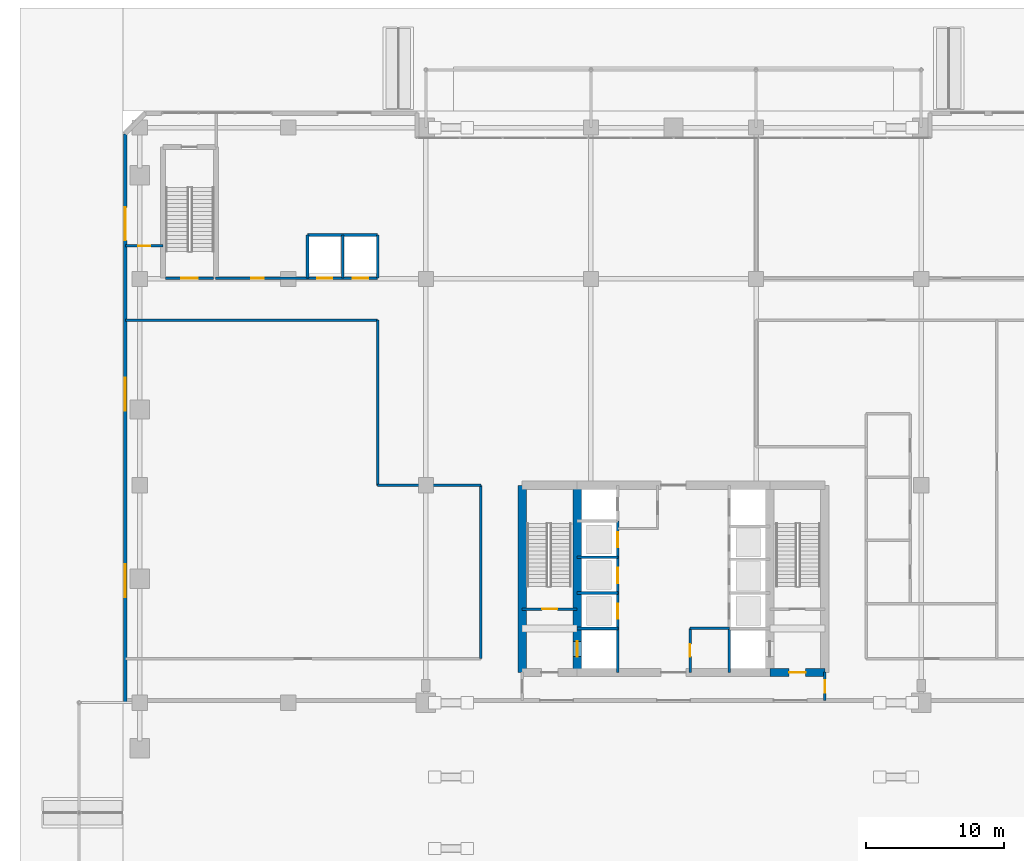
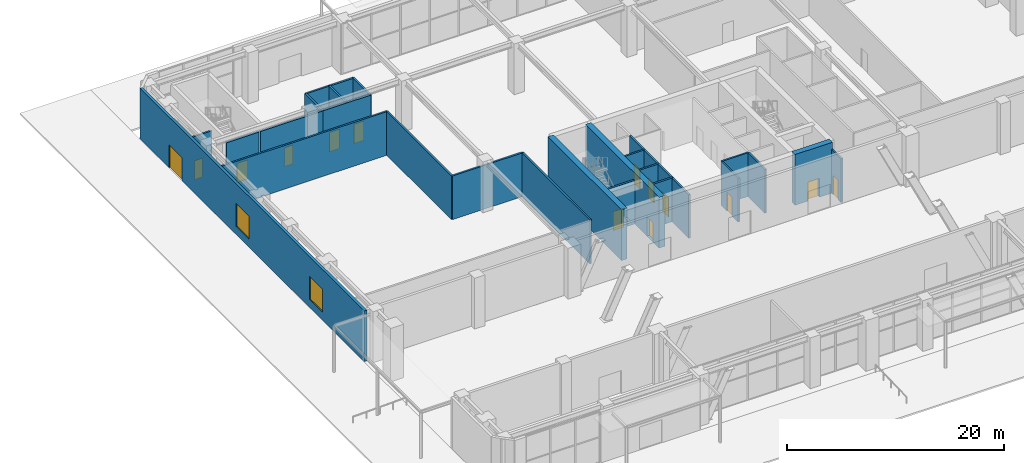
# One storey, part 37 of 49: 26 walls, 14 doors, 2 windows, 16 openings.
"""IFC4 building model written with IfcOpenShell, lengths in metres."""

from ifc_helpers import new_model, si_unit, direction, frame, frame_2d, origin, place, context, subcontext, project, spatial, rectangle, extrude, material, layer, layer_set, type_object, element, fill, save


model = new_model("IFC4")

# Units and contexts
model_context = context("Model", 3, precision=1e-05, world=origin(), true_north=direction((0.0, 1.0)))
body_context = subcontext(model_context, "Body", "Model", "MODEL_VIEW")
ifc_project = project(units=[si_unit("LENGTHUNIT", "METRE"), si_unit("AREAUNIT", "SQUARE_METRE"), si_unit("VOLUMEUNIT", "CUBIC_METRE"), si_unit("PLANEANGLEUNIT", "RADIAN"), si_unit("MASSUNIT", "GRAM", prefix="KILO")], contexts=[model_context])

# Site, building, storey
site_placement = place(None, origin())
site = spatial("IfcSite", under=ifc_project, at=site_placement, CompositionType="ELEMENT")
building_placement = place(site_placement, origin())
building = spatial("IfcBuilding", under=site, at=building_placement, Name="Sarneth Arch Tower", CompositionType="ELEMENT")
storey_placement = place(building_placement, origin())
storey = spatial("IfcBuildingStorey", under=building, at=storey_placement, Name="L00", CompositionType="ELEMENT", Elevation=0.0)

# Wall, opening, door
ifc_material_1 = material(Name="Concrete C60/75", Category="concrete")
ifc_layer_1 = layer(ifc_material_1, 0.60009765625)
ifc_layer_set_1 = layer_set([ifc_layer_1], Name="Concrete C60/75")
wall_type_1 = type_object("IfcWallType", Name="WALL-CORE-600", PredefinedType="SHEAR", material=ifc_layer_set_1)
wall_1_placement = place(storey_placement, frame((55.0, 35.199951171875, 0.0), z_axis=(0.0, 0.0, 1.0), x_axis=(1.0, 0.0, 0.0)))
wall_1 = element("IfcWall", 1, at=wall_1_placement, inside=storey, type_object=wall_type_1, Name="L00 Core shear wall S-E", PredefinedType="SHEAR", context=body_context, shape_type="SweptSolid", body=[
    extrude(rectangle(XDim=4.0, YDim=0.60009765625, at=frame_2d((2.0, 0.0))), origin(), (0.0, 0.0, 1.0), 5.719970703125),
])
opening_1_placement = place(wall_1_placement, frame((1.39990234375, 0.0, 0.0)))
opening_1 = element("IfcOpeningElement", 2, at=opening_1_placement, cuts=wall_1, Name="Opening FD-02", PredefinedType="OPENING", context=body_context, shape_type="SweptSolid", body=[
    extrude(rectangle(XDim=1.199951171875, YDim=2.14990234375, at=frame_2d((0.60009765625, 1.074951171875))), frame((0.0, 0.31005859375, 0.0), z_axis=(0.0, -1.0, 0.0), x_axis=(1.0, 0.0, 0.0)), (0.0, 0.0, 1.0), 0.6201171875),
])
ifc_material_2 = material(Name="Galvanised Steel S275 fire door set", Category="steel")
door_type_1 = type_object("IfcDoorType", Name="DR-FD90-1200", OperationType="SINGLE_SWING_LEFT", PredefinedType="DOOR", material=ifc_material_2)
door_1_placement = place(opening_1_placement, origin())
door_1 = element("IfcDoor", 3, at=door_1_placement, inside=storey, type_object=door_type_1, Name="L00 Firefighting lobby 2 exit door", OperationType="SINGLE_SWING_RIGHT", OverallHeight=2.14990234375, OverallWidth=1.199951171875, PredefinedType="DOOR", context=body_context, shape_type="SweptSolid", body=[
    extrude(rectangle(XDim=1.199951171875, YDim=2.14990234375, at=frame_2d((0.60009765625, 1.074951171875))), frame((0.0, 0.02490234375, 0.0), z_axis=(0.0, -1.0, 0.0), x_axis=(1.0, 0.0, 0.0)), (0.0, 0.0, 1.0), 0.050048828125),
])
fill(opening_1, door_1)

# Wall
wall_2_placement = place(storey_placement, frame((37.0, 35.199951171875, 0.0), z_axis=(0.0, 0.0, 1.0), x_axis=(0.0, 1.0, 0.0)))
element("IfcWall", 4, at=wall_2_placement, inside=storey, type_object=wall_type_1, Name="L00 Core shear wall W", PredefinedType="SHEAR", context=body_context, shape_type="SweptSolid", body=[
    extrude(rectangle(XDim=13.60009765625, YDim=0.60009765625, at=frame_2d((6.800048828125, 0.0))), origin(), (0.0, 0.0, 1.0), 5.719970703125),
])

# Wall, opening, door
wall_3_placement = place(storey_placement, frame((41.0, 35.199951171875, 0.0), z_axis=(0.0, 0.0, 1.0), x_axis=(0.0, 1.0, 0.0)))
wall_3 = element("IfcWall", 5, at=wall_3_placement, inside=storey, type_object=wall_type_1, Name="L00 Core shear wall WEB-W", PredefinedType="SHEAR", context=body_context, shape_type="SweptSolid", body=[
    extrude(rectangle(XDim=13.60009765625, YDim=0.60009765625, at=frame_2d((6.800048828125, 0.0))), origin(), (0.0, 0.0, 1.0), 5.719970703125),
])
opening_2_placement = place(wall_3_placement, frame((1.14990234375, 0.0, 0.0)))
opening_2 = element("IfcOpeningElement", 6, at=opening_2_placement, cuts=wall_3, Name="Opening LD-1", PredefinedType="OPENING", context=body_context, shape_type="SweptSolid", body=[
    extrude(rectangle(XDim=1.10009765625, YDim=2.199951171875, at=frame_2d((0.550048828125, 1.10009765625))), frame((0.0, 0.31005859375, 0.0), z_axis=(0.0, -1.0, 0.0), x_axis=(1.0, 0.0, 0.0)), (0.0, 0.0, 1.0), 0.6201171875),
])
ifc_material_3 = material(Name="Brushed Stainless Steel 304 lift landing door", Category="steel")
door_type_2 = type_object("IfcDoorType", Name="DR-LIFT-SLIDE-1100", OperationType="SLIDING_TO_LEFT", PredefinedType="DOOR", material=ifc_material_3)
door_2_placement = place(opening_2_placement, origin())
door_2 = element("IfcDoor", 7, at=door_2_placement, inside=storey, type_object=door_type_2, Name="L00 Firefighting lift landing door FL-1", OperationType="SLIDING_TO_LEFT", OverallHeight=2.199951171875, OverallWidth=1.10009765625, PredefinedType="DOOR", context=body_context, shape_type="SweptSolid", body=[
    extrude(rectangle(XDim=1.10009765625, YDim=2.199951171875, at=frame_2d((0.550048828125, 1.10009765625))), frame((0.0, 0.02490234375, 0.0), z_axis=(0.0, -1.0, 0.0), x_axis=(1.0, 0.0, 0.0)), (0.0, 0.0, 1.0), 0.050048828125),
])
fill(opening_2, door_2)

# Walls
ifc_material_4 = material(Name="Double steel-stud corridor fire wall", Category="steel")
ifc_layer_2 = layer(ifc_material_4, 0.18994140625)
ifc_layer_set_2 = layer_set([ifc_layer_2], Name="Double steel-stud corridor fire wall")
wall_type_2 = type_object("IfcWallType", Name="WALL-CORR-190", PredefinedType="PARTITIONING", material=ifc_layer_set_2)
wall_4_placement = place(storey_placement, frame((26.5, 60.800048828125, 0.0), z_axis=(0.0, 0.0, 1.0), x_axis=(-1.0, 0.0, 0.0)))
element("IfcWall", 8, at=wall_4_placement, inside=storey, type_object=wall_type_2, Name="L00 Interior partition W-L00N-TP-009", PredefinedType="PARTITIONING", context=body_context, shape_type="SweptSolid", body=[
    extrude(rectangle(XDim=18.35009765625, YDim=0.18994140625, at=frame_2d((9.175048828125, 0.0))), origin(), (0.0, 0.0, 1.0), 4.919921875),
])
wall_5_placement = place(storey_placement, frame((34.0, 36.199951171875, 0.0), z_axis=(0.0, 0.0, 1.0), x_axis=(0.0, 1.0, 0.0)))
element("IfcWall", 9, at=wall_5_placement, inside=storey, type_object=wall_type_2, Name="L00 Interior partition W-L00N-TP-006", PredefinedType="PARTITIONING", context=body_context, shape_type="SweptSolid", body=[
    extrude(rectangle(XDim=12.60009765625, YDim=0.18994140625, at=frame_2d((6.300048828125, 0.0))), origin(), (0.0, 0.0, 1.0), 4.919921875),
])
wall_6_placement = place(storey_placement, frame((26.5, 48.800048828125, 0.0), z_axis=(0.0, 0.0, 1.0), x_axis=(0.0, 1.0, 0.0)))
element("IfcWall", 10, at=wall_6_placement, inside=storey, type_object=wall_type_2, Name="L00 Interior partition W-L00N-TP-008", PredefinedType="PARTITIONING", context=body_context, shape_type="SweptSolid", body=[
    extrude(rectangle(XDim=12.0, YDim=0.18994140625, at=frame_2d((6.0, 0.0))), origin(), (0.0, 0.0, 1.0), 4.919921875),
])
wall_7_placement = place(storey_placement, frame((34.0, 48.800048828125, 0.0), z_axis=(0.0, 0.0, 1.0), x_axis=(-1.0, 0.0, 0.0)))
element("IfcWall", 11, at=wall_7_placement, inside=storey, type_object=wall_type_2, Name="L00 Interior partition W-L00N-TP-007", PredefinedType="PARTITIONING", context=body_context, shape_type="SweptSolid", body=[
    extrude(rectangle(XDim=7.5, YDim=0.18994140625, at=frame_2d((3.75, 0.0))), origin(), (0.0, 0.0, 1.0), 4.919921875),
])

# Wall, opening, door
wall_8_placement = place(storey_placement, frame((14.718017578125, 63.85009765625, 0.0), z_axis=(0.0, 0.0, 1.0), x_axis=(1.0, 0.0, 0.0)))
wall_8 = element("IfcWall", 12, at=wall_8_placement, inside=storey, type_object=wall_type_2, Name="L00 Interior partition W-L00N-TP-010", PredefinedType="PARTITIONING", context=body_context, shape_type="SweptSolid", body=[
    extrude(rectangle(XDim=6.7138671875, YDim=0.18994140625, at=frame_2d((3.35693359375, 0.0))), origin(), (0.0, 0.0, 1.0), 4.919921875),
])
opening_3_placement = place(wall_8_placement, frame((2.60693359375, 0.0, 0.0)))
opening_3 = element("IfcOpeningElement", 13, at=opening_3_placement, cuts=wall_8, Name="Opening FD-10", PredefinedType="OPENING", context=body_context, shape_type="SweptSolid", body=[
    extrude(rectangle(XDim=0.89990234375, YDim=2.14990234375, at=frame_2d((0.449951171875, 1.074951171875))), frame((0.0, 0.10498046875, 0.0), z_axis=(0.0, -1.0, 0.0), x_axis=(1.0, 0.0, 0.0)), (0.0, 0.0, 1.0), 0.2099609375),
])
ifc_material_5 = material(Name="Galvanised Steel S275 riser/service fire door", Category="steel")
door_type_3 = type_object("IfcDoorType", Name="DR-FD60-900", OperationType="SINGLE_SWING_LEFT", PredefinedType="DOOR", material=ifc_material_5)
door_3_placement = place(opening_3_placement, origin())
door_3 = element("IfcDoor", 14, at=door_3_placement, inside=storey, type_object=door_type_3, Name="L00 Interior door DR-L00-CONCW", OperationType="SINGLE_SWING_RIGHT", OverallHeight=2.14990234375, OverallWidth=0.89990234375, PredefinedType="DOOR", context=body_context, shape_type="SweptSolid", body=[
    extrude(rectangle(XDim=0.89990234375, YDim=2.14990234375, at=frame_2d((0.449951171875, 1.074951171875))), frame((0.0, 0.02490234375, 0.0), z_axis=(0.0, -1.0, 0.0), x_axis=(1.0, 0.0, 0.0)), (0.0, 0.0, 1.0), 0.050048828125),
])
fill(opening_3, door_3)

wall_9_placement = place(storey_placement, frame((8.14990234375, 66.199951171875, 0.0), z_axis=(0.0, 0.0, 1.0), x_axis=(1.0, 0.0, 0.0)))
wall_9 = element("IfcWall", 15, at=wall_9_placement, inside=storey, type_object=wall_type_2, Name="L00 Interior partition W-L00N-TP-011", PredefinedType="PARTITIONING", context=body_context, shape_type="SweptSolid", body=[
    extrude(rectangle(XDim=2.75, YDim=0.18994140625, at=frame_2d((1.375, 0.0))), origin(), (0.0, 0.0, 1.0), 4.919921875),
])
opening_4_placement = place(wall_9_placement, frame((0.949951171875, 0.0, 0.0)))
opening_4 = element("IfcOpeningElement", 16, at=opening_4_placement, cuts=wall_9, Name="Opening FD-11", PredefinedType="OPENING", context=body_context, shape_type="SweptSolid", body=[
    extrude(rectangle(XDim=0.85009765625, YDim=2.14990234375, at=frame_2d((0.425048828125, 1.074951171875))), frame((0.0, 0.10498046875, 0.0), z_axis=(0.0, -1.0, 0.0), x_axis=(1.0, 0.0, 0.0)), (0.0, 0.0, 1.0), 0.2099609375),
])
ifc_material_6 = material(Name="Galvanised Steel S275 closet fire door", Category="steel")
door_type_4 = type_object("IfcDoorType", Name="DR-FD60-850", OperationType="SINGLE_SWING_LEFT", PredefinedType="DOOR", material=ifc_material_6)
door_4_placement = place(opening_4_placement, origin())
door_4 = element("IfcDoor", 17, at=door_4_placement, inside=storey, type_object=door_type_4, Name="L00 Interior door DR-L00-WVS", OperationType="SINGLE_SWING_LEFT", OverallHeight=2.14990234375, OverallWidth=0.85009765625, PredefinedType="DOOR", context=body_context, shape_type="SweptSolid", body=[
    extrude(rectangle(XDim=0.85009765625, YDim=2.14990234375, at=frame_2d((0.425048828125, 1.074951171875))), frame((0.0, 0.02490234375, 0.0), z_axis=(0.0, -1.0, 0.0), x_axis=(1.0, 0.0, 0.0)), (0.0, 0.0, 1.0), 0.050048828125),
])
fill(opening_4, door_4)

wall_10_placement = place(storey_placement, frame((59.0, 33.14990234375, 0.0), z_axis=(0.0, 0.0, 1.0), x_axis=(0.0, 1.0, 0.0)))
wall_10 = element("IfcWall", 18, at=wall_10_placement, inside=storey, type_object=wall_type_2, Name="L00 Interior partition W-L00N-TP-002", PredefinedType="PARTITIONING", context=body_context, shape_type="SweptSolid", body=[
    extrude(rectangle(XDim=2.08203125, YDim=0.18994140625, at=frame_2d((1.041015625, 0.0))), origin(), (0.0, 0.0, 1.0), 4.919921875),
])
opening_5_placement = place(wall_10_placement, frame((0.591064453125, 0.0, 0.0)))
opening_5 = element("IfcOpeningElement", 19, at=opening_5_placement, cuts=wall_10, Name="Opening FD-10", PredefinedType="OPENING", context=body_context, shape_type="SweptSolid", body=[
    extrude(rectangle(XDim=0.89990234375, YDim=2.14990234375, at=frame_2d((0.449951171875, 1.074951171875))), frame((0.0, 0.10498046875, 0.0), z_axis=(0.0, -1.0, 0.0), x_axis=(1.0, 0.0, 0.0)), (0.0, 0.0, 1.0), 0.2099609375),
])
door_5_placement = place(opening_5_placement, origin())
door_5 = element("IfcDoor", 20, at=door_5_placement, inside=storey, type_object=door_type_3, Name="L00 Interior door DR-L00-EXITC2", OperationType="SINGLE_SWING_RIGHT", OverallHeight=2.14990234375, OverallWidth=0.89990234375, PredefinedType="DOOR", context=body_context, shape_type="SweptSolid", body=[
    extrude(rectangle(XDim=0.89990234375, YDim=2.14990234375, at=frame_2d((0.449951171875, 1.074951171875))), frame((0.0, 0.02490234375, 0.0), z_axis=(0.0, -1.0, 0.0), x_axis=(1.0, 0.0, 0.0)), (0.0, 0.0, 1.0), 0.050048828125),
])
fill(opening_5, door_5)

# Wall, openings, door, windows
ifc_material_7 = material(Name="Extruded terracotta rainscreen on Concrete C40/50 backing", Category="masonry")
ifc_layer_3 = layer(ifc_material_7, 0.280029296875)
ifc_layer_set_3 = layer_set([ifc_layer_3], Name="Extruded terracotta rainscreen on Concrete C40/50 backing")
wall_type_3 = type_object("IfcWallType", Name="WALL-EXT-TERRA-280", PredefinedType="SOLIDWALL", material=ifc_layer_set_3)
wall_11_placement = place(storey_placement, frame((8.14990234375, 33.0, 0.0), z_axis=(0.0, 0.0, 1.0), x_axis=(0.0, 1.0, 0.0)))
wall_11 = element("IfcWall", 21, at=wall_11_placement, inside=storey, type_object=wall_type_3, Name="L00 West podium north wall", PredefinedType="SOLIDWALL", context=body_context, shape_type="SweptSolid", body=[
    extrude(rectangle(XDim=41.35009765625, YDim=0.280029296875, at=frame_2d((20.675048828125, 0.0))), origin(), (0.0, 0.0, 1.0), 5.719970703125),
])
opening_6_placement = place(wall_11_placement, frame((33.60009765625, 0.0, 0.0)))
opening_6 = element("IfcOpeningElement", 22, at=opening_6_placement, cuts=wall_11, Name="Opening ED-1", PredefinedType="OPENING", context=body_context, shape_type="SweptSolid", body=[
    extrude(rectangle(XDim=2.39990234375, YDim=2.60009765625, at=frame_2d((1.199951171875, 1.300048828125))), frame((0.0, 0.14990234375, 0.0), z_axis=(0.0, -1.0, 0.0), x_axis=(1.0, 0.0, 0.0)), (0.0, 0.0, 1.0), 0.300048828125),
])
opening_7_placement = place(wall_11_placement, frame((7.675048828125, 0.0, 0.89990234375)))
opening_7 = element("IfcOpeningElement", 23, at=opening_7_placement, cuts=wall_11, Name="Opening W-02", PredefinedType="OPENING", context=body_context, shape_type="SweptSolid", body=[
    extrude(rectangle(XDim=2.39990234375, YDim=2.60009765625, at=frame_2d((1.199951171875, 1.300048828125))), frame((0.0, 0.14990234375, 0.0), z_axis=(0.0, -1.0, 0.0), x_axis=(1.0, 0.0, 0.0)), (0.0, 0.0, 1.0), 0.300048828125),
])
opening_8_placement = place(wall_11_placement, frame((21.22509765625, 0.0, 0.89990234375)))
opening_8 = element("IfcOpeningElement", 24, at=opening_8_placement, cuts=wall_11, Name="Opening W-02", PredefinedType="OPENING", context=body_context, shape_type="SweptSolid", body=[
    extrude(rectangle(XDim=2.39990234375, YDim=2.60009765625, at=frame_2d((1.199951171875, 1.300048828125))), frame((0.0, 0.14990234375, 0.0), z_axis=(0.0, -1.0, 0.0), x_axis=(1.0, 0.0, 0.0)), (0.0, 0.0, 1.0), 0.300048828125),
])
ifc_material_8 = material(Name="Thermally broken Aluminium 6063-T6 and laminated safety glass", Category="aluminium")
door_type_5 = type_object("IfcDoorType", Name="DR-EXT-DBL-2400", OperationType="DOUBLE_DOOR_SINGLE_SWING", PredefinedType="DOOR", material=ifc_material_8)
door_6_placement = place(opening_6_placement, origin())
door_6 = element("IfcDoor", 25, at=door_6_placement, inside=storey, type_object=door_type_5, Name="West Protected Exit Vestibule Street Door", OperationType="DOUBLE_DOOR_SINGLE_SWING", OverallHeight=2.60009765625, OverallWidth=2.39990234375, PredefinedType="DOOR", context=body_context, shape_type="SweptSolid", body=[
    extrude(rectangle(XDim=2.39990234375, YDim=2.60009765625, at=frame_2d((1.199951171875, 1.300048828125))), frame((0.0, 0.02490234375, 0.0), z_axis=(0.0, -1.0, 0.0), x_axis=(1.0, 0.0, 0.0)), (0.0, 0.0, 1.0), 0.050048828125),
])
fill(opening_6, door_6)
ifc_material_9 = material(Name="Thermally broken Aluminium 6063-T6 and low-e laminated IGU", Category="aluminium")
window_type = type_object("IfcWindowType", Name="WIN-POD-2400x2600", PartitioningType="DOUBLE_PANEL_VERTICAL", PredefinedType="WINDOW", material=ifc_material_9)
window_1_placement = place(opening_7_placement, origin())
window_1 = element("IfcWindow", 26, at=window_1_placement, inside=storey, type_object=window_type, Name="L00 West window 1", OverallHeight=2.60009765625, OverallWidth=2.39990234375, PartitioningType="SINGLE_PANEL", PredefinedType="WINDOW", context=body_context, shape_type="SweptSolid", body=[
    extrude(rectangle(XDim=2.39990234375, YDim=2.60009765625, at=frame_2d((1.199951171875, 1.300048828125))), frame((0.0, 0.030029296875, 0.0), z_axis=(0.0, -1.0, 0.0), x_axis=(1.0, 0.0, 0.0)), (0.0, 0.0, 1.0), 0.06005859375),
])
fill(opening_7, window_1)
window_2_placement = place(opening_8_placement, origin())
window_2 = element("IfcWindow", 27, at=window_2_placement, inside=storey, type_object=window_type, Name="L00 West window 2", OverallHeight=2.60009765625, OverallWidth=2.39990234375, PartitioningType="SINGLE_PANEL", PredefinedType="WINDOW", context=body_context, shape_type="SweptSolid", body=[
    extrude(rectangle(XDim=2.39990234375, YDim=2.60009765625, at=frame_2d((1.199951171875, 1.300048828125))), frame((0.0, 0.030029296875, 0.0), z_axis=(0.0, -1.0, 0.0), x_axis=(1.0, 0.0, 0.0)), (0.0, 0.0, 1.0), 0.06005859375),
])
fill(opening_8, window_2)

# Wall
ifc_material_10 = material(Name="Moisture-resistant plumbing chase wall", Category="gypsum")
ifc_layer_4 = layer(ifc_material_10, 0.179931640625)
ifc_layer_set_4 = layer_set([ifc_layer_4], Name="Moisture-resistant plumbing chase wall")
wall_type_4 = type_object("IfcWallType", Name="WALL-PLUMB-180", PredefinedType="PLUMBINGWALL", material=ifc_layer_set_4)
wall_12_placement = place(storey_placement, frame((49.199951171875, 38.39990234375, 0.0), z_axis=(0.0, 0.0, 1.0), x_axis=(1.0, 0.0, 0.0)))
element("IfcWall", 28, at=wall_12_placement, inside=storey, type_object=wall_type_4, Name="L00 Interior partition W-L00-AWC-N", PredefinedType="PLUMBINGWALL", context=body_context, shape_type="SweptSolid", body=[
    extrude(rectangle(XDim=2.85009765625, YDim=0.179931640625, at=frame_2d((1.425048828125, 0.0))), origin(), (0.0, 0.0, 1.0), 4.919921875),
])

# Wall, opening, door
wall_13_placement = place(storey_placement, frame((49.199951171875, 35.199951171875, 0.0), z_axis=(0.0, 0.0, 1.0), x_axis=(0.0, 1.0, 0.0)))
wall_13 = element("IfcWall", 29, at=wall_13_placement, inside=storey, type_object=wall_type_4, Name="L00 Interior partition W-L00-AWC-W", PredefinedType="PLUMBINGWALL", context=body_context, shape_type="SweptSolid", body=[
    extrude(rectangle(XDim=3.199951171875, YDim=0.179931640625, at=frame_2d((1.60009765625, 0.0))), origin(), (0.0, 0.0, 1.0), 4.919921875),
])
opening_9_placement = place(wall_13_placement, frame((1.14990234375, 0.0, 0.0)))
opening_9 = element("IfcOpeningElement", 30, at=opening_9_placement, cuts=wall_13, Name="Opening ID-01", PredefinedType="OPENING", context=body_context, shape_type="SweptSolid", body=[
    extrude(rectangle(XDim=0.89990234375, YDim=2.10009765625, at=frame_2d((0.449951171875, 1.050048828125))), frame((0.0, 0.099853515625, 0.0), z_axis=(0.0, -1.0, 0.0), x_axis=(1.0, 0.0, 0.0)), (0.0, 0.0, 1.0), 0.199951171875),
])
ifc_material_11 = material(Name="Engineered hardwood flush door", Category="wood")
door_type_6 = type_object("IfcDoorType", Name="DR-INT-900", OperationType="SINGLE_SWING_LEFT", PredefinedType="DOOR", material=ifc_material_11)
door_7_placement = place(opening_9_placement, origin())
door_7 = element("IfcDoor", 31, at=door_7_placement, inside=storey, type_object=door_type_6, Name="L00 Interior door DR-L00-AWC", OperationType="SINGLE_SWING_RIGHT", OverallHeight=2.10009765625, OverallWidth=0.89990234375, PredefinedType="DOOR", context=body_context, shape_type="SweptSolid", body=[
    extrude(rectangle(XDim=0.89990234375, YDim=2.10009765625, at=frame_2d((0.449951171875, 1.050048828125))), frame((0.0, 0.02490234375, 0.0), z_axis=(0.0, -1.0, 0.0), x_axis=(1.0, 0.0, 0.0)), (0.0, 0.0, 1.0), 0.050048828125),
])
fill(opening_9, door_7)

ifc_material_12 = material(Name="Aerated concrete blockwork C25/30", Category="masonry")
ifc_layer_5 = layer(ifc_material_12, 0.199951171875)
ifc_layer_set_5 = layer_set([ifc_layer_5], Name="Aerated concrete blockwork C25/30")
wall_type_5 = type_object("IfcWallType", Name="WALL-SHAFT-200", PredefinedType="SOLIDWALL", material=ifc_layer_set_5)
wall_14_placement = place(storey_placement, frame((37.0, 39.800048828125, 0.0), z_axis=(0.0, 0.0, 1.0), x_axis=(1.0, 0.0, 0.0)))
wall_14 = element("IfcWall", 32, at=wall_14_placement, inside=storey, type_object=wall_type_5, Name="L00 Interior partition W-L00-ST1-S", PredefinedType="SOLIDWALL", context=body_context, shape_type="SweptSolid", body=[
    extrude(rectangle(XDim=4.0, YDim=0.199951171875, at=frame_2d((2.0, 0.0))), origin(), (0.0, 0.0, 1.0), 4.919921875),
])
opening_10_placement = place(wall_14_placement, frame((1.449951171875, 0.0, 0.0)))
opening_10 = element("IfcOpeningElement", 33, at=opening_10_placement, cuts=wall_14, Name="Opening FD-03", PredefinedType="OPENING", context=body_context, shape_type="SweptSolid", body=[
    extrude(rectangle(XDim=1.10009765625, YDim=2.14990234375, at=frame_2d((0.550048828125, 1.074951171875))), frame((0.0, 0.10986328125, 0.0), z_axis=(0.0, -1.0, 0.0), x_axis=(1.0, 0.0, 0.0)), (0.0, 0.0, 1.0), 0.219970703125),
])
ifc_material_13 = material(Name="Galvanised Steel S275 fire door set", Category="steel")
door_type_7 = type_object("IfcDoorType", Name="DR-FD90-1100", OperationType="SINGLE_SWING_LEFT", PredefinedType="DOOR", material=ifc_material_13)
door_8_placement = place(opening_10_placement, origin())
door_8 = element("IfcDoor", 34, at=door_8_placement, inside=storey, type_object=door_type_7, Name="L00 Interior door DR-L00-ST1", OperationType="SINGLE_SWING_LEFT", OverallHeight=2.14990234375, OverallWidth=1.10009765625, PredefinedType="DOOR", context=body_context, shape_type="SweptSolid", body=[
    extrude(rectangle(XDim=1.10009765625, YDim=2.14990234375, at=frame_2d((0.550048828125, 1.074951171875))), frame((0.0, 0.02490234375, 0.0), z_axis=(0.0, -1.0, 0.0), x_axis=(1.0, 0.0, 0.0)), (0.0, 0.0, 1.0), 0.050048828125),
])
fill(opening_10, door_8)

# Walls
wall_15_placement = place(storey_placement, frame((43.949951171875, 35.199951171875, 0.0), z_axis=(0.0, 0.0, 1.0), x_axis=(0.0, 1.0, 0.0)))
element("IfcWall", 35, at=wall_15_placement, inside=storey, type_object=wall_type_5, Name="L00 Interior partition W-L00-FL1-E", PredefinedType="SOLIDWALL", context=body_context, shape_type="SweptSolid", body=[
    extrude(rectangle(XDim=3.199951171875, YDim=0.199951171875, at=frame_2d((1.60009765625, 0.0))), origin(), (0.0, 0.0, 1.0), 4.919921875),
])
wall_16_placement = place(storey_placement, frame((41.0, 38.39990234375, 0.0), z_axis=(0.0, 0.0, 1.0), x_axis=(1.0, 0.0, 0.0)))
element("IfcWall", 36, at=wall_16_placement, inside=storey, type_object=wall_type_5, Name="L00 Interior partition W-L00-FL1-N", PredefinedType="SOLIDWALL", context=body_context, shape_type="SweptSolid", body=[
    extrude(rectangle(XDim=2.949951171875, YDim=0.199951171875, at=frame_2d((1.47509765625, 0.0))), origin(), (0.0, 0.0, 1.0), 4.919921875),
])
wall_17_placement = place(storey_placement, frame((52.050048828125, 35.199951171875, 0.0), z_axis=(0.0, 0.0, 1.0), x_axis=(0.0, 1.0, 0.0)))
element("IfcWall", 37, at=wall_17_placement, inside=storey, type_object=wall_type_5, Name="L00 Interior partition W-L00-FL2-W", PredefinedType="SOLIDWALL", context=body_context, shape_type="SweptSolid", body=[
    extrude(rectangle(XDim=3.199951171875, YDim=0.199951171875, at=frame_2d((1.60009765625, 0.0))), origin(), (0.0, 0.0, 1.0), 4.919921875),
])

# Wall, openings, doors
wall_18_placement = place(storey_placement, frame((43.949951171875, 38.39990234375, 0.0), z_axis=(0.0, 0.0, 1.0), x_axis=(0.0, 1.0, 0.0)))
wall_18 = element("IfcWall", 38, at=wall_18_placement, inside=storey, type_object=wall_type_5, Name="L00 Interior partition W-L00-WESTBANK-FRONT", PredefinedType="SOLIDWALL", context=body_context, shape_type="SweptSolid", body=[
    extrude(rectangle(XDim=7.800048828125, YDim=0.199951171875, at=frame_2d((3.89990234375, 0.0))), origin(), (0.0, 0.0, 1.0), 4.919921875),
])
opening_11_placement = place(wall_18_placement, frame((0.699951171875, 0.0, 0.0)))
opening_11 = element("IfcOpeningElement", 39, at=opening_11_placement, cuts=wall_18, Name="Opening LD-1", PredefinedType="OPENING", context=body_context, shape_type="SweptSolid", body=[
    extrude(rectangle(XDim=1.10009765625, YDim=2.199951171875, at=frame_2d((0.550048828125, 1.10009765625))), frame((0.0, 0.10986328125, 0.0), z_axis=(0.0, -1.0, 0.0), x_axis=(1.0, 0.0, 0.0)), (0.0, 0.0, 1.0), 0.219970703125),
])
opening_12_placement = place(wall_18_placement, frame((3.300048828125, 0.0, 0.0)))
opening_12 = element("IfcOpeningElement", 40, at=opening_12_placement, cuts=wall_18, Name="Opening LD-1", PredefinedType="OPENING", context=body_context, shape_type="SweptSolid", body=[
    extrude(rectangle(XDim=1.10009765625, YDim=2.199951171875, at=frame_2d((0.550048828125, 1.10009765625))), frame((0.0, 0.10986328125, 0.0), z_axis=(0.0, -1.0, 0.0), x_axis=(1.0, 0.0, 0.0)), (0.0, 0.0, 1.0), 0.219970703125),
])
opening_13_placement = place(wall_18_placement, frame((5.89990234375, 0.0, 0.0)))
opening_13 = element("IfcOpeningElement", 41, at=opening_13_placement, cuts=wall_18, Name="Opening LD-1", PredefinedType="OPENING", context=body_context, shape_type="SweptSolid", body=[
    extrude(rectangle(XDim=1.10009765625, YDim=2.199951171875, at=frame_2d((0.550048828125, 1.10009765625))), frame((0.0, 0.10986328125, 0.0), z_axis=(0.0, -1.0, 0.0), x_axis=(1.0, 0.0, 0.0)), (0.0, 0.0, 1.0), 0.219970703125),
])
door_9_placement = place(opening_11_placement, origin())
door_9 = element("IfcDoor", 42, at=door_9_placement, inside=storey, type_object=door_type_2, Name="L00 Lift landing door DR-L00-LD-PL1", OperationType="SLIDING_TO_LEFT", OverallHeight=2.199951171875, OverallWidth=1.10009765625, PredefinedType="DOOR", context=body_context, shape_type="SweptSolid", body=[
    extrude(rectangle(XDim=1.10009765625, YDim=2.199951171875, at=frame_2d((0.550048828125, 1.10009765625))), frame((0.0, 0.02490234375, 0.0), z_axis=(0.0, -1.0, 0.0), x_axis=(1.0, 0.0, 0.0)), (0.0, 0.0, 1.0), 0.050048828125),
])
fill(opening_11, door_9)
door_10_placement = place(opening_12_placement, origin())
door_10 = element("IfcDoor", 43, at=door_10_placement, inside=storey, type_object=door_type_2, Name="L00 Lift landing door DR-L00-LD-PL2", OperationType="SLIDING_TO_RIGHT", OverallHeight=2.199951171875, OverallWidth=1.10009765625, PredefinedType="DOOR", context=body_context, shape_type="SweptSolid", body=[
    extrude(rectangle(XDim=1.10009765625, YDim=2.199951171875, at=frame_2d((0.550048828125, 1.10009765625))), frame((0.0, 0.02490234375, 0.0), z_axis=(0.0, -1.0, 0.0), x_axis=(1.0, 0.0, 0.0)), (0.0, 0.0, 1.0), 0.050048828125),
])
fill(opening_12, door_10)
door_11_placement = place(opening_13_placement, origin())
door_11 = element("IfcDoor", 44, at=door_11_placement, inside=storey, type_object=door_type_2, Name="L00 Lift landing door DR-L00-LD-PM1", OperationType="SLIDING_TO_LEFT", OverallHeight=2.199951171875, OverallWidth=1.10009765625, PredefinedType="DOOR", context=body_context, shape_type="SweptSolid", body=[
    extrude(rectangle(XDim=1.10009765625, YDim=2.199951171875, at=frame_2d((0.550048828125, 1.10009765625))), frame((0.0, 0.02490234375, 0.0), z_axis=(0.0, -1.0, 0.0), x_axis=(1.0, 0.0, 0.0)), (0.0, 0.0, 1.0), 0.050048828125),
])
fill(opening_13, door_11)

# Walls
for number, where, z_axis, x_axis, name in (
    (45, (41.0, 40.97998046875, 0.0), (0.0, 0.0, 1.0), (1.0, 0.0, 0.0), "L00 Interior partition W-L00-WB-DIV-4098"),
    (46, (41.0, 43.580078125, 0.0), (0.0, 0.0, 1.0), (1.0, 0.0, 0.0), "L00 Interior partition W-L00-WB-DIV-4358"),
):
    element("IfcWall", number, at=place(storey_placement, frame(where, z_axis=z_axis, x_axis=x_axis)), inside=storey, type_object=wall_type_5, Name=name, PredefinedType="SOLIDWALL", context=body_context, shape_type="SweptSolid", body=[
        extrude(rectangle(XDim=2.949951171875, YDim=0.199951171875, at=frame_2d((1.47509765625, 0.0))), origin(), (0.0, 0.0, 1.0), 4.919921875),
    ])

# Wall, opening, door
wall_19_placement = place(storey_placement, frame((11.080078125, 63.85009765625, 0.0), z_axis=(0.0, 0.0, 1.0), x_axis=(1.0, 0.0, 0.0)))
wall_19 = element("IfcWall", 47, at=wall_19_placement, inside=storey, type_object=wall_type_5, Name="L00 Interior partition W-L00-STP1-S", PredefinedType="SOLIDWALL", context=body_context, shape_type="SweptSolid", body=[
    extrude(rectangle(XDim=3.489990234375, YDim=0.199951171875, at=frame_2d((1.7451171875, 0.0))), origin(), (0.0, 0.0, 1.0), 4.919921875),
])
opening_14_placement = place(wall_19_placement, frame((1.14990234375, 0.0, 0.0)))
opening_14 = element("IfcOpeningElement", 48, at=opening_14_placement, cuts=wall_19, Name="Opening FD-02", PredefinedType="OPENING", context=body_context, shape_type="SweptSolid", body=[
    extrude(rectangle(XDim=1.199951171875, YDim=2.14990234375, at=frame_2d((0.60009765625, 1.074951171875))), frame((0.0, 0.10986328125, 0.0), z_axis=(0.0, -1.0, 0.0), x_axis=(1.0, 0.0, 0.0)), (0.0, 0.0, 1.0), 0.219970703125),
])
door_12_placement = place(opening_14_placement, origin())
door_12 = element("IfcDoor", 49, at=door_12_placement, inside=storey, type_object=door_type_1, Name="L00 Interior door DR-L00-STP1", OperationType="SINGLE_SWING_LEFT", OverallHeight=2.14990234375, OverallWidth=1.199951171875, PredefinedType="DOOR", context=body_context, shape_type="SweptSolid", body=[
    extrude(rectangle(XDim=1.199951171875, YDim=2.14990234375, at=frame_2d((0.60009765625, 1.074951171875))), frame((0.0, 0.02490234375, 0.0), z_axis=(0.0, -1.0, 0.0), x_axis=(1.0, 0.0, 0.0)), (0.0, 0.0, 1.0), 0.050048828125),
])
fill(opening_14, door_12)

# Walls
for number, where, z_axis, x_axis, name in (
    (50, (21.39990234375, 63.85009765625, 0.0), (0.0, 0.0, 1.0), (0.0, 1.0, 0.0), "L00 Interior partition W-L00-PP-W"),
    (51, (26.5, 63.85009765625, 0.0), (0.0, 0.0, 1.0), (0.0, 1.0, 0.0), "L00 Interior partition W-L00-PP-E"),
):
    element("IfcWall", number, at=place(storey_placement, frame(where, z_axis=z_axis, x_axis=x_axis)), inside=storey, type_object=wall_type_5, Name=name, PredefinedType="SOLIDWALL", context=body_context, shape_type="SweptSolid", body=[
        extrude(rectangle(XDim=3.14990234375, YDim=0.199951171875, at=frame_2d((1.574951171875, 0.0))), origin(), (0.0, 0.0, 1.0), 4.919921875),
    ])
wall_20_placement = place(storey_placement, frame((21.39990234375, 67.0, 0.0), z_axis=(0.0, 0.0, 1.0), x_axis=(1.0, 0.0, 0.0)))
element("IfcWall", 52, at=wall_20_placement, inside=storey, type_object=wall_type_5, Name="L00 Interior partition W-L00-PP-N", PredefinedType="SOLIDWALL", context=body_context, shape_type="SweptSolid", body=[
    extrude(rectangle(XDim=5.10009765625, YDim=0.199951171875, at=frame_2d((2.550048828125, 0.0))), origin(), (0.0, 0.0, 1.0), 4.919921875),
])
wall_21_placement = place(storey_placement, frame((23.949951171875, 63.85009765625, 0.0), z_axis=(0.0, 0.0, 1.0), x_axis=(0.0, 1.0, 0.0)))
element("IfcWall", 53, at=wall_21_placement, inside=storey, type_object=wall_type_5, Name="L00 Interior partition W-L00-PP-M", PredefinedType="SOLIDWALL", context=body_context, shape_type="SweptSolid", body=[
    extrude(rectangle(XDim=3.14990234375, YDim=0.199951171875, at=frame_2d((1.574951171875, 0.0))), origin(), (0.0, 0.0, 1.0), 4.919921875),
])

# Wall, openings, doors
wall_22_placement = place(storey_placement, frame((21.39990234375, 63.85009765625, 0.0), z_axis=(0.0, 0.0, 1.0), x_axis=(1.0, 0.0, 0.0)))
wall_22 = element("IfcWall", 54, at=wall_22_placement, inside=storey, type_object=wall_type_5, Name="L00 Interior partition W-L00-PP-S", PredefinedType="SOLIDWALL", context=body_context, shape_type="SweptSolid", body=[
    extrude(rectangle(XDim=5.10009765625, YDim=0.199951171875, at=frame_2d((2.550048828125, 0.0))), origin(), (0.0, 0.0, 1.0), 4.919921875),
])
opening_15_placement = place(wall_22_placement, frame((0.699951171875, 0.0, 0.0)))
opening_15 = element("IfcOpeningElement", 55, at=opening_15_placement, cuts=wall_22, Name="Opening LD-1", PredefinedType="OPENING", context=body_context, shape_type="SweptSolid", body=[
    extrude(rectangle(XDim=1.10009765625, YDim=2.199951171875, at=frame_2d((0.550048828125, 1.10009765625))), frame((0.0, 0.10986328125, 0.0), z_axis=(0.0, -1.0, 0.0), x_axis=(1.0, 0.0, 0.0)), (0.0, 0.0, 1.0), 0.219970703125),
])
opening_16_placement = place(wall_22_placement, frame((3.300048828125, 0.0, 0.0)))
opening_16 = element("IfcOpeningElement", 56, at=opening_16_placement, cuts=wall_22, Name="Opening LD-1", PredefinedType="OPENING", context=body_context, shape_type="SweptSolid", body=[
    extrude(rectangle(XDim=1.10009765625, YDim=2.199951171875, at=frame_2d((0.550048828125, 1.10009765625))), frame((0.0, 0.10986328125, 0.0), z_axis=(0.0, -1.0, 0.0), x_axis=(1.0, 0.0, 0.0)), (0.0, 0.0, 1.0), 0.219970703125),
])
door_13_placement = place(opening_15_placement, origin())
door_13 = element("IfcDoor", 57, at=door_13_placement, inside=storey, type_object=door_type_2, Name="L00 Lift landing door DR-L00-LD-PP1", OperationType="SLIDING_TO_LEFT", OverallHeight=2.199951171875, OverallWidth=1.10009765625, PredefinedType="DOOR", context=body_context, shape_type="SweptSolid", body=[
    extrude(rectangle(XDim=1.10009765625, YDim=2.199951171875, at=frame_2d((0.550048828125, 1.10009765625))), frame((0.0, 0.02490234375, 0.0), z_axis=(0.0, -1.0, 0.0), x_axis=(1.0, 0.0, 0.0)), (0.0, 0.0, 1.0), 0.050048828125),
])
fill(opening_15, door_13)
door_14_placement = place(opening_16_placement, origin())
door_14 = element("IfcDoor", 58, at=door_14_placement, inside=storey, type_object=door_type_2, Name="L00 Lift landing door DR-L00-LD-PP2", OperationType="SLIDING_TO_RIGHT", OverallHeight=2.199951171875, OverallWidth=1.10009765625, PredefinedType="DOOR", context=body_context, shape_type="SweptSolid", body=[
    extrude(rectangle(XDim=1.10009765625, YDim=2.199951171875, at=frame_2d((0.550048828125, 1.10009765625))), frame((0.0, 0.02490234375, 0.0), z_axis=(0.0, -1.0, 0.0), x_axis=(1.0, 0.0, 0.0)), (0.0, 0.0, 1.0), 0.050048828125),
])
fill(opening_16, door_14)

save(model, "model.ifc")
